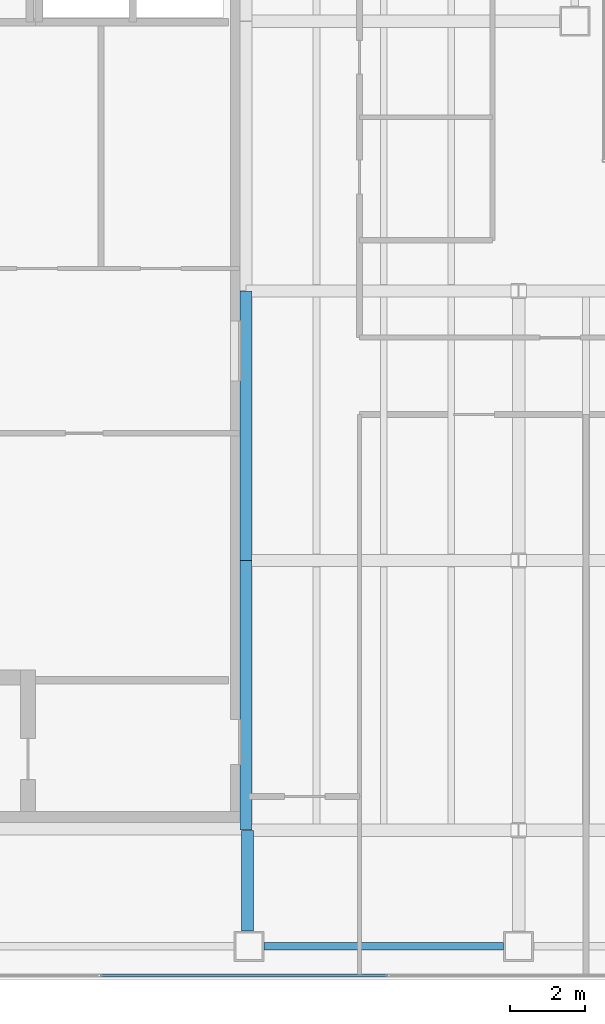
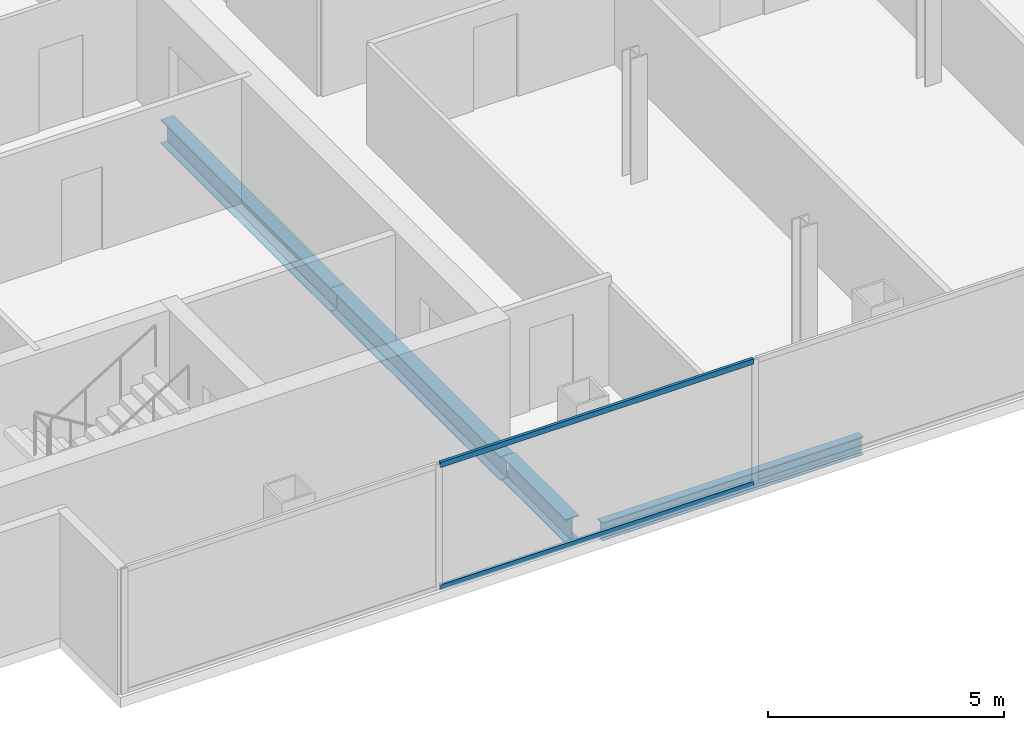
# One storey, part 3 of 23: 4 beams, 2 members, 1 element without a shape of its own.
"""IFC4 building model written with IfcOpenShell, lengths in metres."""

import ifcopenshell
import ifcopenshell.guid

model = None  # the IFC model being written
_history = None  # IfcOwnerHistory: only IFC2X3 demands one
_inside = {}  # id of a spatial element -> (the spatial element, [elements in it])
_under = {}  # id of a project, library or spatial element -> (it, [spatial elements below it])
_declared = {}  # id of a project -> (the project, [libraries it declares])
_typed = {}  # id of a type object -> (the type object, [elements of that type])
_made_of = {}  # id of a material, layer set ... -> (it, [elements and type objects made of it])


def new_model(schema):
    """Start an empty IFC model of exactly this schema.

    Asked for "IFC4X3", IfcOpenShell would pick the latest addendum, in which some entities
    have other attributes; the version numbers below select the first issue.
    IFC2X3 requires an IfcOwnerHistory on every rooted entity: one is made here for all.
    """
    global model, _history
    if schema == "IFC4X3":
        model = ifcopenshell.file(schema_version=(4, 3, 0, 0))
    else:
        model = ifcopenshell.file(schema=schema)
    _inside.clear()
    _under.clear()
    _declared.clear()
    _typed.clear()
    _made_of.clear()
    _history = None
    if model.schema == "IFC2X3":
        org = make("IfcOrganization", Name="unknown")
        user = make(
            "IfcPersonAndOrganization",
            ThePerson=make("IfcPerson", FamilyName="unknown"),
            TheOrganization=org,
        )
        app = make(
            "IfcApplication",
            ApplicationDeveloper=org,
            Version="unknown",
            ApplicationFullName="unknown",
            ApplicationIdentifier="unknown",
        )
        _history = make(
            "IfcOwnerHistory",
            OwningUser=user,
            OwningApplication=app,
            ChangeAction="ADDED",
            CreationDate=0,
        )
    return model


def make(cls, **values):
    """One entity of the class cls with the attributes given. An attribute that is None is left unset."""
    return model.create_entity(
        cls, **{name: value for name, value in values.items() if value is not None}
    )


def rooted(cls, **values):
    """An entity with a GlobalId (a new one), such as an element, a storey or a relation."""
    return make(cls, GlobalId=ifcopenshell.guid.new(), OwnerHistory=_history, **values)


def si_unit(unit_type, name, prefix=None):
    """IfcSIUnit, for example si_unit("LENGTHUNIT", "METRE", prefix="MILLI")."""
    return make("IfcSIUnit", UnitType=unit_type, Prefix=prefix, Name=name)


def assignment(units):
    """IfcUnitAssignment: the units of a project."""
    return None if units is None else make("IfcUnitAssignment", Units=units)


def point(xyz):
    """IfcCartesianPoint."""
    return None if xyz is None else make("IfcCartesianPoint", Coordinates=xyz)


def direction(xyz):
    """IfcDirection."""
    return None if xyz is None else make("IfcDirection", DirectionRatios=xyz)


def frame(location, z_axis=None, x_axis=None):
    """IfcAxis2Placement3D, a coordinate frame: its origin and axes. An axis left out is left unset."""
    return make(
        "IfcAxis2Placement3D",
        Location=point(location),
        Axis=direction(z_axis),
        RefDirection=direction(x_axis),
    )


def frame_2d(location, x_axis=None):
    """IfcAxis2Placement2D, a coordinate frame in the plane: its origin and x axis."""
    return make(
        "IfcAxis2Placement2D", Location=point(location), RefDirection=direction(x_axis)
    )


def origin():
    """The frame at (0, 0, 0) with its axes left unset."""
    return frame((0.0, 0.0, 0.0))


def origin_2d():
    """The frame at (0, 0) in the plane with its x axis left unset."""
    return frame_2d((0.0, 0.0))


def place(relative_to, where):
    """IfcLocalPlacement: puts the frame where relative to a parent placement (None: the world)."""
    return make(
        "IfcLocalPlacement", PlacementRelTo=relative_to, RelativePlacement=where
    )


def context(
    kind, dimensions, precision=None, world=None, true_north=None, identifier=None
):
    """IfcGeometricRepresentationContext, for example the 3D "Model" context."""
    return make(
        "IfcGeometricRepresentationContext",
        ContextIdentifier=identifier,
        ContextType=kind,
        CoordinateSpaceDimension=dimensions,
        Precision=precision,
        WorldCoordinateSystem=world,
        TrueNorth=true_north,
    )


def subcontext(parent, identifier, kind, view, scale=None):
    """IfcGeometricRepresentationSubContext, for example "Body" below "Model"."""
    return make(
        "IfcGeometricRepresentationSubContext",
        ContextIdentifier=identifier,
        ContextType=kind,
        ParentContext=parent,
        TargetScale=scale,
        TargetView=view,
    )


def project(units=None, contexts=None):
    """IfcProject with its units and contexts."""
    return rooted(
        "IfcProject",
        Name="project",
        RepresentationContexts=contexts,
        UnitsInContext=assignment(units),
    )


def spatial(cls, under=None, at=None, **own):
    """A site, building, storey or space (cls), placed at a placement, below another one or the project."""
    s = rooted(cls, ObjectPlacement=at, **own)
    if under is not None:
        _under.setdefault(under.id(), (under, []))[1].append(s)
    return s


def profile(cls, at=None, kind="AREA", **sizes):
    """A parametric profile (cls). Its sizes go by their IFC names, for example OverallWidth=200.0."""
    return make(cls, ProfileType=kind, Position=at, **sizes)


def hollow_rectangle(**sizes):
    """IfcRectangleHollowProfileDef."""
    return profile("IfcRectangleHollowProfileDef", **sizes)


def i_section(**sizes):
    """IfcIShapeProfileDef."""
    return profile("IfcIShapeProfileDef", **sizes)


def extrude(swept, where, along, depth):
    """IfcExtrudedAreaSolid: the profile swept, set in the frame where, extruded along a direction by depth."""
    return make(
        "IfcExtrudedAreaSolid",
        SweptArea=swept,
        Position=where,
        ExtrudedDirection=direction(along),
        Depth=depth,
    )


def shape(context_of_items, identifier, shape_type, items):
    """IfcShapeRepresentation: the items that make up one representation, for example the "Body"."""
    return make(
        "IfcShapeRepresentation",
        ContextOfItems=context_of_items,
        RepresentationIdentifier=identifier,
        RepresentationType=shape_type,
        Items=items,
    )


def material(Name=None, Category=None):
    """IfcMaterial."""
    return make("IfcMaterial", Name=Name, Category=Category)


def material_profile(
    of_material, cross_section, Name=None, Category=None, Priority=None
):
    """IfcMaterialProfile: a cross section and its material."""
    return make(
        "IfcMaterialProfile",
        Name=Name,
        Material=of_material,
        Profile=cross_section,
        Priority=Priority,
        Category=Category,
    )


def profile_set(profiles, Name=None, composite=None):
    """IfcMaterialProfileSet."""
    return make(
        "IfcMaterialProfileSet",
        Name=Name,
        MaterialProfiles=profiles,
        CompositeProfile=composite,
    )


def made_of(thing, what):
    """Note that an element or type object is made of a material, layer set ...; save() writes the relation."""
    if what is not None:
        _made_of.setdefault(what.id(), (what, []))[1].append(thing)
    return thing


def type_object(cls, material=None, **own):
    """A type object (cls), such as IfcWallType, which elements share."""
    return made_of(rooted(cls, **own), material)


def element(
    cls,
    number,
    at=None,
    inside=None,
    cuts=None,
    type_object=None,
    material=None,
    context=None,
    identifier="Body",
    shape_type=None,
    held_by="IfcProductDefinitionShape",
    body=None,
    shapes=None,
    **own,
):
    """One element of the class cls, such as IfcWall. Its Tag is "e" and its number.

    at: its placement. inside: the storey or other place that contains it. cuts: it is an
    opening in that element (IfcRelVoidsElement). A single representation is given by context,
    identifier, shape_type and body (its items); several are given by shapes. held_by: the class
    of the entity that holds the representations. save() writes the other relations.
    """
    e = rooted(cls, Tag="e%d" % number, ObjectPlacement=at, **own)
    if body is not None:
        shapes = [shape(context, identifier, shape_type, body)]
    if shapes is not None:
        e.Representation = make(held_by, Representations=shapes)
    if inside is not None:
        _inside.setdefault(inside.id(), (inside, []))[1].append(e)
    if cuts is not None:
        rooted(
            "IfcRelVoidsElement", RelatingBuildingElement=cuts, RelatedOpeningElement=e
        )
    if type_object is not None:
        _typed.setdefault(type_object.id(), (type_object, []))[1].append(e)
    return made_of(e, material)


def aggregate(whole, parts):
    """IfcRelAggregates: a whole, such as a stair, and the parts it consists of."""
    return rooted("IfcRelAggregates", RelatingObject=whole, RelatedObjects=parts)


def save(model, path):
    """Write the relations noted so far, then the file.

    IfcRelAggregates (storeys below a building ...), IfcRelContainedInSpatialStructure (elements
    in a storey), IfcRelDefinesByType, IfcRelAssociatesMaterial and IfcRelDeclares: one each for
    every whole, place, type object, material and project.
    """
    for whole, parts in _under.values():
        aggregate(whole, parts)
    for where, things in _inside.values():
        rooted(
            "IfcRelContainedInSpatialStructure",
            RelatedElements=things,
            RelatingStructure=where,
        )
    for kind, things in _typed.values():
        rooted("IfcRelDefinesByType", RelatedObjects=things, RelatingType=kind)
    for what, things in _made_of.values():
        rooted("IfcRelAssociatesMaterial", RelatedObjects=things, RelatingMaterial=what)
    for by, libraries in _declared.values():
        rooted("IfcRelDeclares", RelatingContext=by, RelatedDefinitions=libraries)
    model.write(path)


model = new_model("IFC4")

# Units and contexts
model_context = context("Model", 3, precision=1e-05, world=origin(), true_north=direction((0.0, 1.0)))
body_context = subcontext(model_context, "Body", "Model", "MODEL_VIEW")
ifc_project = project(units=[si_unit("LENGTHUNIT", "METRE"), si_unit("AREAUNIT", "SQUARE_METRE"), si_unit("VOLUMEUNIT", "CUBIC_METRE"), si_unit("PLANEANGLEUNIT", "RADIAN"), si_unit("MASSUNIT", "GRAM", prefix="KILO")], contexts=[model_context])

# Site, building, storey
site_placement = place(None, origin())
site = spatial("IfcSite", under=ifc_project, at=site_placement, CompositionType="ELEMENT")
building_placement = place(site_placement, origin())
building = spatial("IfcBuilding", under=site, at=building_placement, Name="Cobrela Telecom Tower", CompositionType="ELEMENT")
storey_placement = place(building_placement, frame((0.0, 0.0, 194.25)))
storey = spatial("IfcBuildingStorey", under=building, at=storey_placement, Name="L49", CompositionType="ELEMENT", Elevation=194.25)

# Beams
ifc_material_1 = material(Name="Steel ASTM A992 Grade 50", Category="steel")
ifc_material_profile_1 = material_profile(ifc_material_1, i_section(OverallWidth=0.327880859375, OverallDepth=0.6220703125, WebThickness=0.015380859375, FlangeThickness=0.0244140625, FilletRadius=0.014892578125, at=origin_2d()), Name="W24X131")
ifc_profile_set_1 = profile_set([ifc_material_profile_1], Name="Steel ASTM A992 Grade 50")
beam_type_1 = type_object("IfcBeamType", Name="BM-GIRD-06", PredefinedType="USERDEFINED", material=ifc_profile_set_1)
beam_1_placement = place(storey_placement, frame((14.360107421875, 4.5048828125, -0.571044921875), z_axis=(0.0, 1.0, 0.0), x_axis=(-1.0, 0.0, 0.0)))
element("IfcBeam", 1, at=beam_1_placement, inside=storey, type_object=beam_type_1, Name="L49 Primary Girder Y26", ObjectType="GIRDER", PredefinedType="USERDEFINED", context=body_context, shape_type="SweptSolid", body=[
    extrude(i_section(OverallWidth=0.327880859375, OverallDepth=0.6220703125, WebThickness=0.015380859375, FlangeThickness=0.0244140625, FilletRadius=0.014892578125, at=origin_2d()), origin(), (0.0, 0.0, 1.0), 2.690185546875),
])
for number, where, z_axis, x_axis, name in (
    (2, (14.320068359375, 7.205078125, -0.571044921875), (0.0, 1.0, 0.0), (-1.0, 0.0, 0.0), "L49 Primary Girder Y27"),
    (3, (14.320068359375, 14.405029296875, -0.571044921875), (0.0, 1.0, 0.0), (-1.0, 0.0, 0.0), "L49 Primary Girder Y28"),
):
    element("IfcBeam", number, at=place(storey_placement, frame(where, z_axis=z_axis, x_axis=x_axis)), inside=storey, type_object=beam_type_1, Name=name, ObjectType="GIRDER", PredefinedType="USERDEFINED", context=body_context, shape_type="SweptSolid", body=[
        extrude(i_section(OverallWidth=0.327880859375, OverallDepth=0.6220703125, WebThickness=0.015380859375, FlangeThickness=0.0244140625, FilletRadius=0.014892578125, at=origin_2d()), origin(), (0.0, 0.0, 1.0), 7.18994140625),
    ])
ifc_material_profile_2 = material_profile(ifc_material_1, i_section(OverallWidth=0.193115234375, OverallDepth=0.467041015625, WebThickness=0.011474609375, FlangeThickness=0.01904296875, FilletRadius=0.012939453125, at=origin_2d()), Name="W18X65")
ifc_profile_set_2 = profile_set([ifc_material_profile_2], Name="Steel ASTM A992 Grade 50")
beam_type_2 = type_object("IfcBeamType", Name="BM-SPAND-05", PredefinedType="SPANDREL", material=ifc_profile_set_2)
beam_2_placement = place(storey_placement, frame((14.804931640625, 4.10009765625, -0.493408203125), z_axis=(1.0, 0.0, 0.0), x_axis=(0.0, 1.0, 0.0)))
element("IfcBeam", 4, at=beam_2_placement, inside=storey, type_object=beam_type_2, Name="L49 Perimeter Spandrel X02", PredefinedType="SPANDREL", context=body_context, shape_type="SweptSolid", body=[
    extrude(i_section(OverallWidth=0.193115234375, OverallDepth=0.467041015625, WebThickness=0.011474609375, FlangeThickness=0.01904296875, FilletRadius=0.012939453125, at=origin_2d()), origin(), (0.0, 0.0, 1.0), 6.39013671875),
])

# Curtain wall, members
ifc_material_2 = material(Name="Anodized Bronze Aluminium 6063-T6", Category="aluminium")
curtain_wall_type = type_object("IfcCurtainWallType", Name="CW-SYS-OFF-LO", PredefinedType="USERDEFINED", material=ifc_material_2)
curtain_wall_placement = place(storey_placement, origin())
curtain_wall = element("IfcCurtainWall", 5, at=curtain_wall_placement, inside=storey, type_object=curtain_wall_type, Name="L49 Unitised Bronze Curtain Wall 17", ObjectType="UNITISED CURTAIN WALL", PredefinedType="USERDEFINED")
ifc_material_profile_3 = material_profile(ifc_material_2, hollow_rectangle(XDim=0.070068359375, YDim=0.139892578125, WallThickness=0.00390625, at=origin_2d()), Name="ALU 70x140x4")
ifc_profile_set_3 = profile_set([ifc_material_profile_3], Name="Anodized Bronze Aluminium 6063-T6")
member_type = type_object("IfcMemberType", Name="CW-SYS-OFF-LO-TRN", PredefinedType="USERDEFINED", material=ifc_profile_set_3)
member_1_placement = place(storey_placement, frame((18.09912109375, 3.320068359375, 0.034912109375), z_axis=(-1.0, 0.0, 0.0), x_axis=(0.0, -1.0, 0.0)))
member_1 = element("IfcMember", 6, at=member_1_placement, type_object=member_type, Name="CW-OFF-LO transom 4.1", ObjectType="TRANSOM", PredefinedType="USERDEFINED", context=body_context, shape_type="SweptSolid", body=[
    extrude(hollow_rectangle(XDim=0.070068359375, YDim=0.139892578125, WallThickness=0.00390625, at=origin_2d()), origin(), (0.0, 0.0, 1.0), 7.662109375),
])
member_2_placement = place(storey_placement, frame((18.09912109375, 3.320068359375, 3.205078125), z_axis=(-1.0, 0.0, 0.0), x_axis=(0.0, -1.0, 0.0)))
member_2 = element("IfcMember", 7, at=member_2_placement, type_object=member_type, Name="CW-OFF-LO transom 4.2", ObjectType="TRANSOM", PredefinedType="USERDEFINED", context=body_context, shape_type="SweptSolid", body=[
    extrude(hollow_rectangle(XDim=0.070068359375, YDim=0.139892578125, WallThickness=0.00390625, at=origin_2d()), origin(), (0.0, 0.0, 1.0), 7.662109375),
])
aggregate(curtain_wall, [member_1, member_2])

save(model, "model.ifc")
